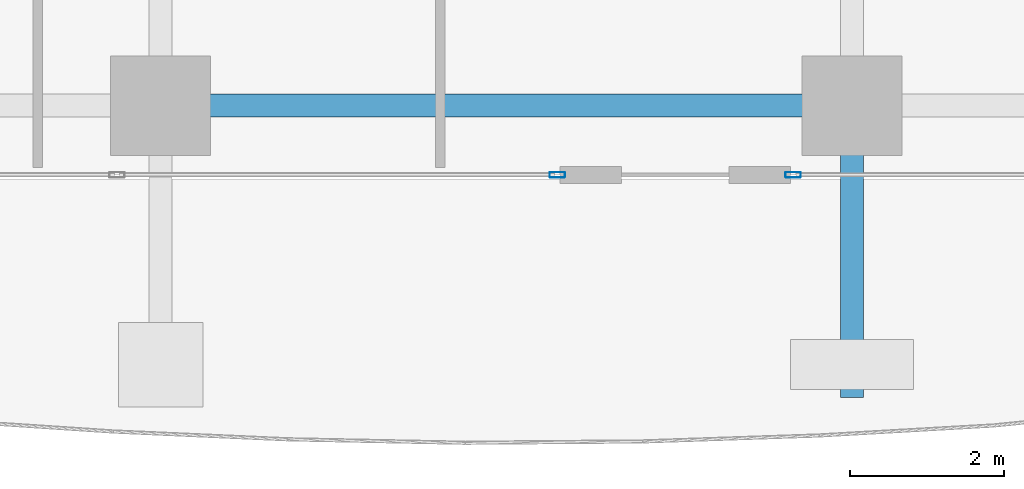
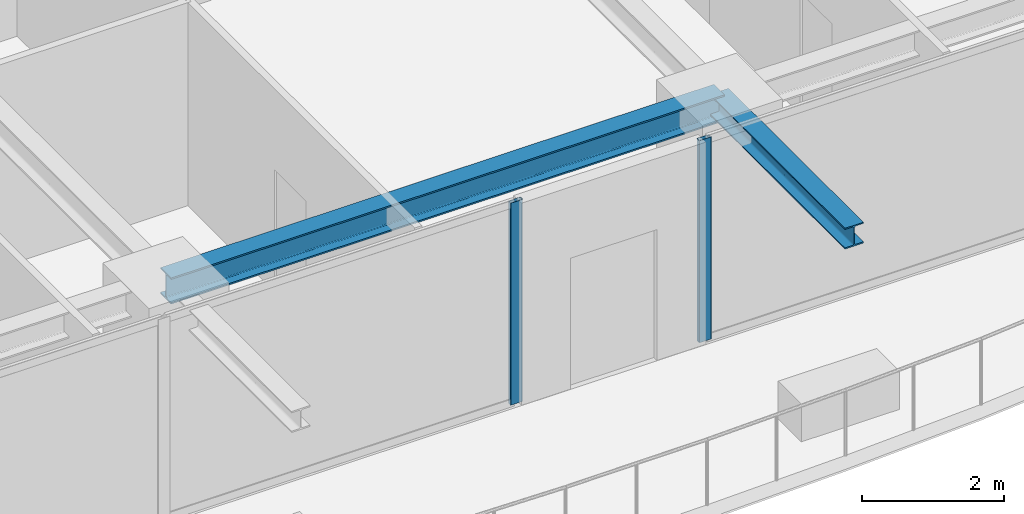
# One storey, part 5 of 34: 2 beams, 2 members, 2 elements without a shape of their own.
"""IFC4 building model written with IfcOpenShell, lengths in metres."""

from ifc_helpers import new_model, si_unit, direction, frame, origin, origin_2d, place, context, subcontext, project, spatial, hollow_rectangle, i_section, extrude, source, transform, mapped, material, layer, layer_set, material_profile, profile_set, type_object, element, aggregate, save


model = new_model("IFC4")

# Units and contexts
model_context = context("Model", 3, precision=1e-05, world=origin(), true_north=direction((0.0, 1.0)))
body_context = subcontext(model_context, "Body", "Model", "MODEL_VIEW")
ifc_project = project(units=[si_unit("LENGTHUNIT", "METRE"), si_unit("AREAUNIT", "SQUARE_METRE"), si_unit("VOLUMEUNIT", "CUBIC_METRE"), si_unit("PLANEANGLEUNIT", "RADIAN"), si_unit("MASSUNIT", "GRAM", prefix="KILO")], contexts=[model_context])

# Site, building, storey
site_placement = place(None, origin())
site = spatial("IfcSite", under=ifc_project, at=site_placement, CompositionType="ELEMENT")
building_placement = place(site_placement, origin())
building = spatial("IfcBuilding", under=site, at=building_placement, Name="Serunith Strait Residences", CompositionType="ELEMENT")
storey_placement = place(building_placement, frame((0.0, 0.0, 187.64990234375)))
storey = spatial("IfcBuildingStorey", under=building, at=storey_placement, Name="L47", CompositionType="ELEMENT", Elevation=187.64990234375)

# Beams
ifc_material_1 = material(Name="Steel S355J2", Category="steel")
ifc_material_profile_1 = material_profile(ifc_material_1, i_section(OverallWidth=0.300048828125, OverallDepth=0.449951171875, WebThickness=0.013916015625, FlangeThickness=0.02587890625, FilletRadius=0.027099609375, at=origin_2d()), Name="HEB 450")
ifc_profile_set_1 = profile_set([ifc_material_profile_1], Name="Steel S355J2")
beam_type_1 = type_object("IfcBeamType", Name="BM-HEB450", PredefinedType="BEAM", material=ifc_profile_set_1)
shared_shape_1 = source(origin(), body_context, "Body", "SweptSolid", [
    extrude(i_section(OverallWidth=0.300048828125, OverallDepth=0.449951171875, WebThickness=0.013916015625, FlangeThickness=0.02587890625, FilletRadius=0.027099609375, at=origin_2d()), origin(), (0.0, 0.0, 1.0), 9.0),
])
beam_1_placement = place(storey_placement, frame((27.89990234375, 2.300048828125, 3.26220703125), z_axis=(1.0, 0.0, 0.0), x_axis=(0.0, 1.0, 0.0)))
element("IfcBeam", 1, at=beam_1_placement, inside=storey, type_object=beam_type_1, Name="L47 Perimeter Ring Beam 02", PredefinedType="BEAM", context=body_context, shape_type="MappedRepresentation", body=[
    mapped(shared_shape_1, transform((0.0, 0.0, 0.0), scale=1.0)),
])
ifc_material_profile_2 = material_profile(ifc_material_1, i_section(OverallWidth=0.300048828125, OverallDepth=0.360107421875, WebThickness=0.012451171875, FlangeThickness=0.0224609375, FilletRadius=0.027099609375, at=origin_2d()), Name="HEB 360")
ifc_profile_set_2 = profile_set([ifc_material_profile_2], Name="Steel S355J2")
beam_type_2 = type_object("IfcBeamType", Name="BM-HEB360", PredefinedType="BEAM", material=ifc_profile_set_2)
shared_shape_2 = source(origin(), body_context, "Body", "SweptSolid", [
    extrude(i_section(OverallWidth=0.300048828125, OverallDepth=0.360107421875, WebThickness=0.012451171875, FlangeThickness=0.0224609375, FilletRadius=0.027099609375, at=origin_2d()), origin(), (0.0, 0.0, 1.0), 3.800048828125),
])
beam_2_placement = place(storey_placement, frame((36.89990234375, 2.300048828125, 3.277099609375), z_axis=(0.0, -1.0, 0.0), x_axis=(1.0, 0.0, 0.0)))
element("IfcBeam", 2, at=beam_2_placement, inside=storey, type_object=beam_type_2, Name="L48 Cantilevered Balcony Rib TC-S3", PredefinedType="BEAM", context=body_context, shape_type="MappedRepresentation", body=[
    mapped(shared_shape_2, transform((0.0, 0.0, 0.0), scale=1.0)),
])

# Curtain wall, member
ifc_material_2 = material(Name="Pale-Champagne Anodised Aluminium", Category="aluminium")
ifc_layer = layer(ifc_material_2, 0.199951171875, Name="Pale-Champagne Anodised Aluminium")
ifc_layer_set = layer_set([ifc_layer], Name="Pale-Champagne Anodised Aluminium")
curtain_wall_type = type_object("IfcCurtainWallType", Name="CW-SYS2", PredefinedType="NOTDEFINED", material=ifc_layer_set)
curtain_wall_1_placement = place(storey_placement, origin())
curtain_wall_1 = element("IfcCurtainWall", 3, at=curtain_wall_1_placement, inside=storey, type_object=curtain_wall_type, Name="L47 S Unitised Fritted Curtain Wall", PredefinedType="NOTDEFINED")
ifc_material_profile_3 = material_profile(ifc_material_2, hollow_rectangle(XDim=0.070068359375, YDim=0.199951171875, WallThickness=0.00390625, InnerFilletRadius=0.006103515625, OuterFilletRadius=0.010009765625, at=origin_2d()), Name="ALU 200x70x4")
ifc_profile_set_3 = profile_set([ifc_material_profile_3], Name="Pale-Champagne Anodised Aluminium")
member_type = type_object("IfcMemberType", Name="CW-SYS2-MULL", PredefinedType="MULLION", material=ifc_profile_set_3)
shared_shape_3 = source(origin(), body_context, "Body", "SweptSolid", [
    extrude(hollow_rectangle(XDim=0.070068359375, YDim=0.199951171875, WallThickness=0.00390625, InnerFilletRadius=0.006103515625, OuterFilletRadius=0.010009765625, at=origin_2d()), origin(), (0.0, 0.0, 1.0), 3.47509765625),
])
member_1_placement = place(storey_placement, frame((33.06494140625, 1.39990234375, 0.0), z_axis=(0.0, 0.0, 1.0), x_axis=(0.0, 1.0, 0.0)))
member_1 = element("IfcMember", 4, at=member_1_placement, type_object=member_type, Name="CW-2 mullion 4", PredefinedType="MULLION", context=body_context, shape_type="MappedRepresentation", body=[
    mapped(shared_shape_3, transform((0.0, 0.0, 0.0), scale=1.0)),
])
aggregate(curtain_wall_1, [member_1])

curtain_wall_2_placement = place(storey_placement, origin())
curtain_wall_2 = element("IfcCurtainWall", 5, at=curtain_wall_2_placement, inside=storey, type_object=curtain_wall_type, Name="L47 S Unitised Fritted Curtain Wall", PredefinedType="NOTDEFINED")
member_2_placement = place(storey_placement, frame((36.135009765625, 1.39990234375, 0.0), z_axis=(0.0, 0.0, 1.0), x_axis=(0.0, 1.0, 0.0)))
member_2 = element("IfcMember", 6, at=member_2_placement, type_object=member_type, Name="CW-2 mullion 1", PredefinedType="MULLION", context=body_context, shape_type="MappedRepresentation", body=[
    mapped(shared_shape_3, transform((0.0, 0.0, 0.0), scale=1.0)),
])
aggregate(curtain_wall_2, [member_2])

save(model, "model.ifc")
